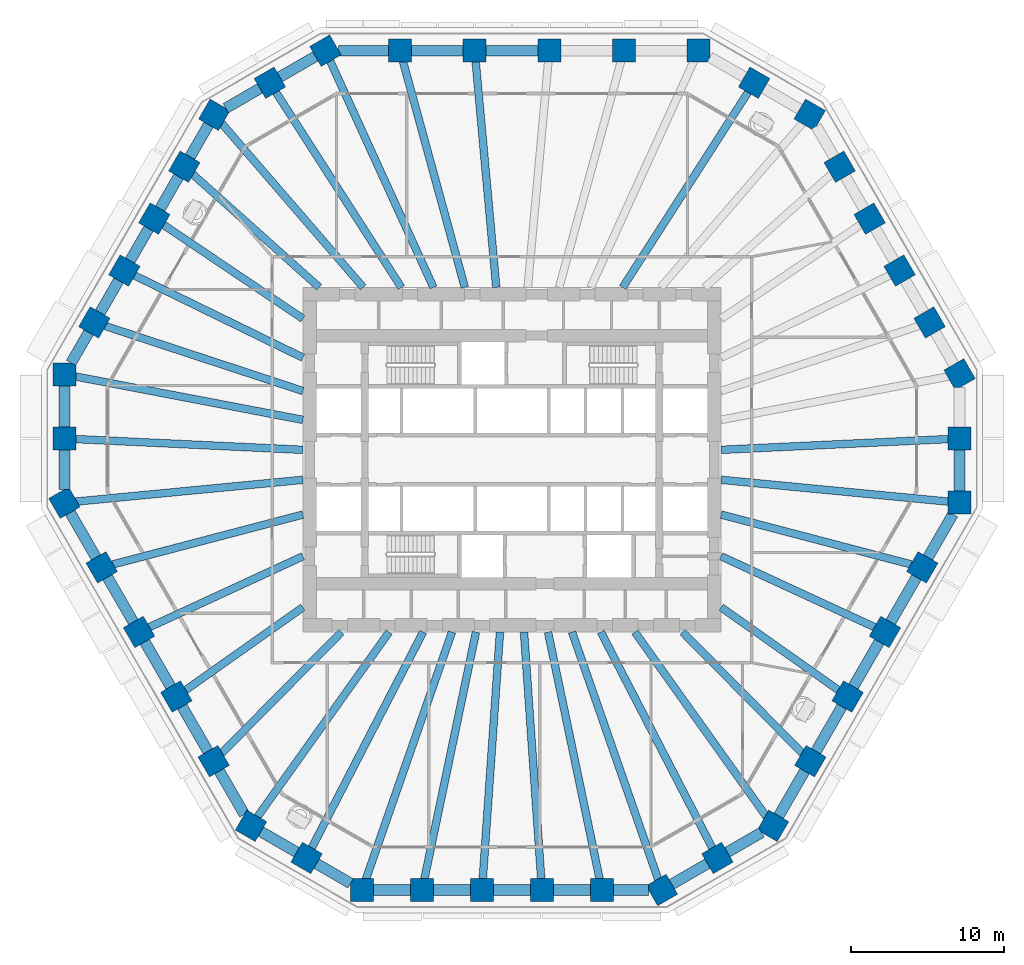
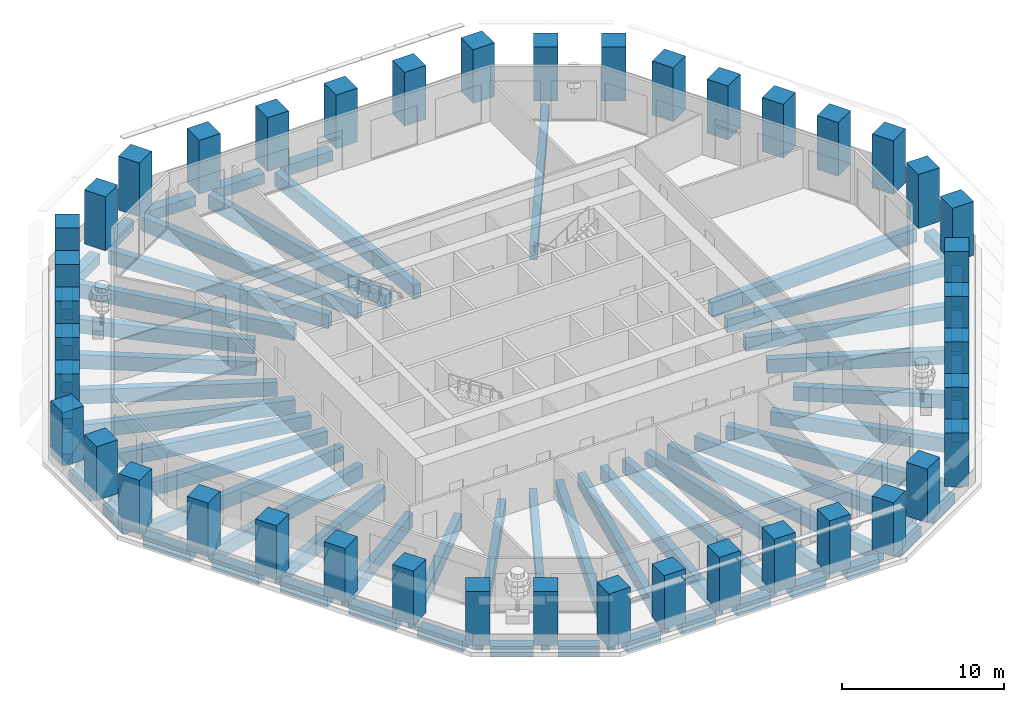
# One storey, part 1 of 12: 65 beams, 42 columns.
"""IFC4 building model written with IfcOpenShell, lengths in metres."""

from ifc_helpers import new_model, si_unit, direction, frame, origin, origin_2d, place, context, subcontext, project, spatial, rectangle, extrude, material, material_profile, profile_set, type_object, element, save


model = new_model("IFC4")

# Units and contexts
model_context = context("Model", 3, precision=1e-05, world=origin(), true_north=direction((0.0, 1.0)))
body_context = subcontext(model_context, "Body", "Model", "MODEL_VIEW")
ifc_project = project(units=[si_unit("LENGTHUNIT", "METRE"), si_unit("AREAUNIT", "SQUARE_METRE"), si_unit("VOLUMEUNIT", "CUBIC_METRE"), si_unit("PLANEANGLEUNIT", "RADIAN"), si_unit("MASSUNIT", "GRAM", prefix="KILO")], contexts=[model_context])

# Site, building, storey
site_placement = place(None, origin())
site = spatial("IfcSite", under=ifc_project, at=site_placement, CompositionType="ELEMENT")
building_placement = place(site_placement, origin())
building = spatial("IfcBuilding", under=site, at=building_placement, Name="Frailejon Research Tower", CompositionType="ELEMENT")
storey_placement = place(building_placement, frame((0.0, 0.0, 58.60009765625)))
storey = spatial("IfcBuildingStorey", under=building, at=storey_placement, Name="L13", CompositionType="ELEMENT", Elevation=58.60009765625)

# Columns
ifc_material_1 = material(Name="Concrete C70/85", Category="concrete")
ifc_material_profile_1 = material_profile(ifc_material_1, rectangle(XDim=1.5, YDim=1.5, at=origin_2d()), Name="Column 1500")
ifc_profile_set_1 = profile_set([ifc_material_profile_1], Name="Concrete C70/85")
column_type = type_object("IfcColumnType", Name="Column 1500", PredefinedType="COLUMN", material=ifc_profile_set_1)
for number, where, z_axis, x_axis, name in (
    (1, (29.211181640625, -2.8046875, 0.0), (0.0, 0.0, 1.0), (0.0, 1.0, 0.0), "Column C01"),
    (2, (29.211181640625, 1.3828125, 0.0), (0.0, 0.0, 1.0), (0.0, 1.0, 0.0), "Column C02"),
    (3, (29.211181640625, 5.5703125, 0.0), (0.0, 0.0, 1.0), (-0.5, 0.866025403784, 0.0), "Column C03"),
    (4, (27.2548828125, 8.958740234375, 0.0), (0.0, 0.0, 1.0), (-0.5, 0.866025403784, 0.0), "Column C04"),
    (5, (25.298583984375, 12.34716796875, 0.0), (0.0, 0.0, 1.0), (-0.5, 0.866025403784, 0.0), "Column C05"),
    (6, (23.34228515625, 15.735595703125, 0.0), (0.0, 0.0, 1.0), (-0.5, 0.866025403784, 0.0), "Column C06"),
    (7, (21.385986328125, 19.1240234375, 0.0), (0.0, 0.0, 1.0), (-0.5, 0.866025403784, 0.0), "Column C07"),
    (8, (19.4296875, 22.512451171875, 0.0), (0.0, 0.0, 1.0), (-0.866025403784, 0.5, 0.0), "Column C08"),
    (9, (15.802978515625, 24.606201171875, 0.0), (0.0, 0.0, 1.0), (-0.866025403784, 0.5, 0.0), "Column C09"),
    (10, (12.176513671875, 26.699951171875, 0.0), (0.0, 0.0, 1.0), (-1.0, 0.0, 0.0), "Column C10"),
    (11, (7.305908203125, 26.699951171875, 0.0), (0.0, 0.0, 1.0), (-1.0, 0.0, 0.0), "Column C11"),
    (12, (2.435302734375, 26.699951171875, 0.0), (0.0, 0.0, 1.0), (-1.0, 0.0, 0.0), "Column C12"),
    (13, (-2.435302734375, 26.699951171875, 0.0), (0.0, 0.0, 1.0), (-1.0, 0.0, 0.0), "Column C13"),
    (14, (-7.305908203125, 26.699951171875, 0.0), (0.0, 0.0, 1.0), (-1.0, 0.0, 0.0), "Column C14"),
    (15, (-12.176513671875, 26.699951171875, 0.0), (0.0, 0.0, 1.0), (-0.866025403784, -0.5, 0.0), "Column C15"),
    (16, (-15.802978515625, 24.606201171875, 0.0), (0.0, 0.0, 1.0), (-0.866025403784, -0.5, 0.0), "Column C16"),
    (17, (-19.4296875, 22.512451171875, 0.0), (0.0, 0.0, 1.0), (-0.5, -0.866025403784, 0.0), "Column C17"),
    (18, (-21.385986328125, 19.1240234375, 0.0), (0.0, 0.0, 1.0), (-0.5, -0.866025403784, 0.0), "Column C18"),
    (19, (-23.34228515625, 15.735595703125, 0.0), (0.0, 0.0, 1.0), (-0.5, -0.866025403784, 0.0), "Column C19"),
    (20, (-25.298583984375, 12.34716796875, 0.0), (0.0, 0.0, 1.0), (-0.5, -0.866025403784, 0.0), "Column C20"),
    (21, (-27.2548828125, 8.958740234375, 0.0), (0.0, 0.0, 1.0), (-0.5, -0.866025403784, 0.0), "Column C21"),
    (22, (-29.211181640625, 5.5703125, 0.0), (0.0, 0.0, 1.0), (0.0, -1.0, 0.0), "Column C22"),
    (23, (-29.211181640625, 1.3828125, 0.0), (0.0, 0.0, 1.0), (0.0, -1.0, 0.0), "Column C23"),
    (24, (-29.211181640625, -2.8046875, 0.0), (0.0, 0.0, 1.0), (0.5, -0.866025403784, 0.0), "Column C24"),
    (25, (-26.77587890625, -7.02294921875, 0.0), (0.0, 0.0, 1.0), (0.5, -0.866025403784, 0.0), "Column C25"),
    (26, (-24.340576171875, -11.240966796875, 0.0), (0.0, 0.0, 1.0), (0.5, -0.866025403784, 0.0), "Column C26"),
    (27, (-21.9052734375, -15.458984375, 0.0), (0.0, 0.0, 1.0), (0.5, -0.866025403784, 0.0), "Column C27"),
    (28, (-19.469970703125, -19.677001953125, 0.0), (0.0, 0.0, 1.0), (0.5, -0.866025403784, 0.0), "Column C28"),
    (29, (-17.03466796875, -23.895263671875, 0.0), (0.0, 0.0, 1.0), (0.866025403784, -0.5, 0.0), "Column C29"),
    (30, (-13.408203125, -25.989013671875, 0.0), (0.0, 0.0, 1.0), (0.866025403784, -0.5, 0.0), "Column C30"),
    (31, (-9.781494140625, -28.082763671875, 0.0), (0.0, 0.0, 1.0), (1.0, 0.0, 0.0), "Column C31"),
    (32, (-5.868896484375, -28.082763671875, 0.0), (0.0, 0.0, 1.0), (1.0, 0.0, 0.0), "Column C32"),
    (33, (-1.956298828125, -28.082763671875, 0.0), (0.0, 0.0, 1.0), (1.0, 0.0, 0.0), "Column C33"),
    (34, (1.956298828125, -28.082763671875, 0.0), (0.0, 0.0, 1.0), (1.0, 0.0, 0.0), "Column C34"),
    (35, (5.868896484375, -28.082763671875, 0.0), (0.0, 0.0, 1.0), (1.0, 0.0, 0.0), "Column C35"),
    (36, (9.781494140625, -28.082763671875, 0.0), (0.0, 0.0, 1.0), (0.866025403784, 0.5, 0.0), "Column C36"),
    (37, (13.408203125, -25.989013671875, 0.0), (0.0, 0.0, 1.0), (0.866025403784, 0.5, 0.0), "Column C37"),
    (38, (17.03466796875, -23.895263671875, 0.0), (0.0, 0.0, 1.0), (0.5, 0.866025403784, 0.0), "Column C38"),
    (39, (19.469970703125, -19.677001953125, 0.0), (0.0, 0.0, 1.0), (0.5, 0.866025403784, 0.0), "Column C39"),
    (40, (21.9052734375, -15.458984375, 0.0), (0.0, 0.0, 1.0), (0.5, 0.866025403784, 0.0), "Column C40"),
    (41, (24.340576171875, -11.240966796875, 0.0), (0.0, 0.0, 1.0), (0.5, 0.866025403784, 0.0), "Column C41"),
    (42, (26.77587890625, -7.02294921875, 0.0), (0.0, 0.0, 1.0), (0.5, 0.866025403784, 0.0), "Column C42"),
):
    element("IfcColumn", number, at=place(storey_placement, frame(where, z_axis=z_axis, x_axis=x_axis)), inside=storey, type_object=column_type, Name=name, PredefinedType="COLUMN", context=body_context, shape_type="SweptSolid", body=[
        extrude(rectangle(XDim=1.5, YDim=1.5, at=origin_2d()), origin(), (0.0, 0.0, 1.0), 4.0498046875),
    ])

# Beams
ifc_material_2 = material(Name="Concrete C60/75", Category="concrete")
ifc_material_profile_2 = material_profile(ifc_material_2, rectangle(XDim=0.5, YDim=1.050048828125, at=origin_2d()), Name="Girder 500x1050")
ifc_profile_set_2 = profile_set([ifc_material_profile_2], Name="Concrete C60/75")
beam_type_1 = type_object("IfcBeamType", Name="Girder 500x1050", PredefinedType="BEAM", material=ifc_profile_set_2)
beam_1_placement = place(storey_placement, frame((28.6103515625, -2.7470703125, -0.8251953125), z_axis=(-0.995421580291, 0.095581784302, 0.0), x_axis=(-0.095581784302, -0.995421580291, 0.0)))
element("IfcBeam", 43, at=beam_1_placement, inside=storey, type_object=beam_type_1, Name="Girder 500x1050", PredefinedType="BEAM", context=body_context, shape_type="SweptSolid", body=[
    extrude(rectangle(XDim=0.5, YDim=1.050048828125, at=origin_2d()), origin(), (0.0, 0.0, 1.0), 15.029296875),
])
beam_2_placement = place(storey_placement, frame((28.61083984375, 1.3544921875, -0.8251953125), z_axis=(-0.998881338401, -0.047287120801, 0.0), x_axis=(0.047287120801, -0.998881338401, 0.0)))
element("IfcBeam", 44, at=beam_2_placement, inside=storey, type_object=beam_type_1, Name="Girder 500x1050", PredefinedType="BEAM", context=body_context, shape_type="SweptSolid", body=[
    extrude(rectangle(XDim=0.5, YDim=1.050048828125, at=origin_2d()), origin(), (0.0, 0.0, 1.0), 14.977783203125),
])
beam_3_placement = place(storey_placement, frame((15.478515625, 24.1005859375, -0.8251953125), z_axis=(-0.540402055677, -0.841406927842, 0.0), x_axis=(0.841406927842, -0.540402055677, 0.0)))
element("IfcBeam", 45, at=beam_3_placement, inside=storey, type_object=beam_type_1, Name="Girder 500x1050", PredefinedType="BEAM", context=body_context, shape_type="SweptSolid", body=[
    extrude(rectangle(XDim=0.5, YDim=1.050048828125, at=origin_2d()), origin(), (0.0, 0.0, 1.0), 15.272705078125),
])
beam_4_placement = place(storey_placement, frame((-2.380615234375, 26.099365234375, -0.8251953125), z_axis=(0.090838377195, -0.995865648182, 0.0), x_axis=(0.995865648182, 0.090838377195, 0.0)))
element("IfcBeam", 46, at=beam_4_placement, inside=storey, type_object=beam_type_1, Name="Girder 500x1050", PredefinedType="BEAM", context=body_context, shape_type="SweptSolid", body=[
    extrude(rectangle(XDim=0.5, YDim=1.050048828125, at=origin_2d()), origin(), (0.0, 0.0, 1.0), 14.9111328125),
])
beam_5_placement = place(storey_placement, frame((-7.140380859375, 26.0947265625, -0.8251953125), z_axis=(0.263930724671, -0.964541638591, 0.0), x_axis=(0.964541638591, 0.263930724671, 0.0)))
element("IfcBeam", 47, at=beam_5_placement, inside=storey, type_object=beam_type_1, Name="Girder 500x1050", PredefinedType="BEAM", context=body_context, shape_type="SweptSolid", body=[
    extrude(rectangle(XDim=0.5, YDim=1.050048828125, at=origin_2d()), origin(), (0.0, 0.0, 1.0), 15.390380859375),
])
beam_6_placement = place(storey_placement, frame((-11.926025390625, 26.15087890625, -0.8251953125), z_axis=(0.414930273519, -0.909853212401, 0.0), x_axis=(0.909853212401, 0.414930273519, 0.0)))
element("IfcBeam", 48, at=beam_6_placement, inside=storey, type_object=beam_type_1, Name="Girder 500x1050", PredefinedType="BEAM", context=body_context, shape_type="SweptSolid", body=[
    extrude(rectangle(XDim=0.5, YDim=1.050048828125, at=origin_2d()), origin(), (0.0, 0.0, 1.0), 16.377197265625),
])
beam_7_placement = place(storey_placement, frame((-15.478515625, 24.1005859375, -0.8251953125), z_axis=(0.540402055677, -0.841406927842, 0.0), x_axis=(0.841406927842, 0.540402055677, 0.0)))
element("IfcBeam", 49, at=beam_7_placement, inside=storey, type_object=beam_type_1, Name="Girder 500x1050", PredefinedType="BEAM", context=body_context, shape_type="SweptSolid", body=[
    extrude(rectangle(XDim=0.5, YDim=1.050048828125, at=origin_2d()), origin(), (0.0, 0.0, 1.0), 15.272705078125),
])
beam_8_placement = place(storey_placement, frame((-19.0087890625, 22.024658203125, -0.8251953125), z_axis=(0.65337554657, -0.757033945833, 0.0), x_axis=(0.757033945833, 0.65337554657, 0.0)))
element("IfcBeam", 50, at=beam_8_placement, inside=storey, type_object=beam_type_1, Name="Girder 500x1050", PredefinedType="BEAM", context=body_context, shape_type="SweptSolid", body=[
    extrude(rectangle(XDim=0.5, YDim=1.050048828125, at=origin_2d()), origin(), (0.0, 0.0, 1.0), 14.232666015625),
])
beam_9_placement = place(storey_placement, frame((-20.926513671875, 18.713134765625, -0.8251953125), z_axis=(0.745431765293, -0.666581940419, 0.0), x_axis=(0.666581940419, 0.745431765293, 0.0)))
element("IfcBeam", 51, at=beam_9_placement, inside=storey, type_object=beam_type_1, Name="Girder 500x1050", PredefinedType="BEAM", context=body_context, shape_type="SweptSolid", body=[
    extrude(rectangle(XDim=0.5, YDim=1.050048828125, at=origin_2d()), origin(), (0.0, 0.0, 1.0), 11.196044921875),
])
beam_10_placement = place(storey_placement, frame((-22.84326171875, 15.399169921875, -0.8251953125), z_axis=(0.82919365434, -0.558961433019, 0.0), x_axis=(0.558961433019, 0.82919365434, 0.0)))
element("IfcBeam", 52, at=beam_10_placement, inside=storey, type_object=beam_type_1, Name="Girder 500x1050", PredefinedType="BEAM", context=body_context, shape_type="SweptSolid", body=[
    extrude(rectangle(XDim=0.5, YDim=1.050048828125, at=origin_2d()), origin(), (0.0, 0.0, 1.0), 11.087158203125),
])
beam_11_placement = place(storey_placement, frame((-24.7578125, 12.083251953125, -0.8251953125), z_axis=(0.898683953103, -0.43859679939, 0.0), x_axis=(0.43859679939, 0.898683953103, 0.0)))
element("IfcBeam", 53, at=beam_11_placement, inside=storey, type_object=beam_type_1, Name="Girder 500x1050", PredefinedType="BEAM", context=body_context, shape_type="SweptSolid", body=[
    extrude(rectangle(XDim=0.5, YDim=1.050048828125, at=origin_2d()), origin(), (0.0, 0.0, 1.0), 12.360107421875),
])
beam_12_placement = place(storey_placement, frame((-26.66943359375, 8.766357421875, -0.8251953125), z_axis=(0.949995064088, -0.312264916712, 0.0), x_axis=(0.312264916712, 0.949995064088, 0.0)))
element("IfcBeam", 54, at=beam_12_placement, inside=storey, type_object=beam_type_1, Name="Girder 500x1050", PredefinedType="BEAM", context=body_context, shape_type="SweptSolid", body=[
    extrude(rectangle(XDim=0.5, YDim=1.050048828125, at=origin_2d()), origin(), (0.0, 0.0, 1.0), 13.704833984375),
])
beam_13_placement = place(storey_placement, frame((-28.6083984375, 5.455322265625, -0.8251953125), z_axis=(0.982298691435, -0.187321330353, 0.0), x_axis=(0.187321330353, 0.982298691435, 0.0)))
element("IfcBeam", 55, at=beam_13_placement, inside=storey, type_object=beam_type_1, Name="Girder 500x1050", PredefinedType="BEAM", context=body_context, shape_type="SweptSolid", body=[
    extrude(rectangle(XDim=0.5, YDim=1.050048828125, at=origin_2d()), origin(), (0.0, 0.0, 1.0), 15.22802734375),
])
beam_14_placement = place(storey_placement, frame((-28.61083984375, 1.3544921875, -0.8251953125), z_axis=(0.998881338401, -0.047287120801, 0.0), x_axis=(0.047287120801, 0.998881338401, 0.0)))
element("IfcBeam", 56, at=beam_14_placement, inside=storey, type_object=beam_type_1, Name="Girder 500x1050", PredefinedType="BEAM", context=body_context, shape_type="SweptSolid", body=[
    extrude(rectangle(XDim=0.5, YDim=1.050048828125, at=origin_2d()), origin(), (0.0, 0.0, 1.0), 14.977783203125),
])
beam_15_placement = place(storey_placement, frame((-28.539794921875, -2.740478515625, -0.8251953125), z_axis=(0.995420415268, 0.09559391648, 0.0), x_axis=(-0.09559391648, 0.995420415268, 0.0)))
element("IfcBeam", 57, at=beam_15_placement, inside=storey, type_object=beam_type_1, Name="Girder 500x1050", PredefinedType="BEAM", context=body_context, shape_type="SweptSolid", body=[
    extrude(rectangle(XDim=0.5, YDim=1.050048828125, at=origin_2d()), origin(), (0.0, 0.0, 1.0), 14.95849609375),
])
beam_16_placement = place(storey_placement, frame((-26.168701171875, -6.86376953125, -0.8251953125), z_axis=(0.96727825833, 0.253717896416, 0.0), x_axis=(-0.253717896416, 0.96727825833, 0.0)))
element("IfcBeam", 58, at=beam_16_placement, inside=storey, type_object=beam_type_1, Name="Girder 500x1050", PredefinedType="BEAM", context=body_context, shape_type="SweptSolid", body=[
    extrude(rectangle(XDim=0.5, YDim=1.050048828125, at=origin_2d()), origin(), (0.0, 0.0, 1.0), 12.9423828125),
])
beam_17_placement = place(storey_placement, frame((-23.79296875, -10.988037109375, -0.8251953125), z_axis=(0.907868543598, 0.419254943375, 0.0), x_axis=(-0.419254943375, 0.907868543598, 0.0)))
element("IfcBeam", 59, at=beam_17_placement, inside=storey, type_object=beam_type_1, Name="Girder 500x1050", PredefinedType="BEAM", context=body_context, shape_type="SweptSolid", body=[
    extrude(rectangle(XDim=0.5, YDim=1.050048828125, at=origin_2d()), origin(), (0.0, 0.0, 1.0), 11.17236328125),
])
beam_18_placement = place(storey_placement, frame((-21.412353515625, -15.111083984375, -0.8251953125), z_axis=(0.817034800415, 0.576588358286, 0.0), x_axis=(-0.576588358286, 0.817034800415, 0.0)))
element("IfcBeam", 60, at=beam_18_placement, inside=storey, type_object=beam_type_1, Name="Girder 500x1050", PredefinedType="BEAM", context=body_context, shape_type="SweptSolid", body=[
    extrude(rectangle(XDim=0.5, YDim=1.050048828125, at=origin_2d()), origin(), (0.0, 0.0, 1.0), 9.500732421875),
])
beam_19_placement = place(storey_placement, frame((-19.028564453125, -19.23095703125, -0.8251953125), z_axis=(0.703356786979, 0.710836992714, 0.0), x_axis=(-0.710836992714, 0.703356786979, 0.0)))
element("IfcBeam", 61, at=beam_19_placement, inside=storey, type_object=beam_type_1, Name="Girder 500x1050", PredefinedType="BEAM", context=body_context, shape_type="SweptSolid", body=[
    extrude(rectangle(XDim=0.5, YDim=1.050048828125, at=origin_2d()), origin(), (0.0, 0.0, 1.0), 11.2275390625),
])
beam_20_placement = place(storey_placement, frame((-16.684326171875, -23.40380859375, -0.8251953125), z_axis=(0.580484429188, 0.814271347568, 0.0), x_axis=(-0.814271347568, 0.580484429188, 0.0)))
element("IfcBeam", 62, at=beam_20_placement, inside=storey, type_object=beam_type_1, Name="Girder 500x1050", PredefinedType="BEAM", context=body_context, shape_type="SweptSolid", body=[
    extrude(rectangle(XDim=0.5, YDim=1.050048828125, at=origin_2d()), origin(), (0.0, 0.0, 1.0), 14.926025390625),
])
beam_21_placement = place(storey_placement, frame((-13.132568359375, -25.455078125, -0.8251953125), z_axis=(0.458492734249, 0.888698156092, 0.0), x_axis=(-0.888698156092, 0.458492734249, 0.0)))
element("IfcBeam", 63, at=beam_21_placement, inside=storey, type_object=beam_type_1, Name="Girder 500x1050", PredefinedType="BEAM", context=body_context, shape_type="SweptSolid", body=[
    extrude(rectangle(XDim=0.5, YDim=1.050048828125, at=origin_2d()), origin(), (0.0, 0.0, 1.0), 15.984130859375),
])
beam_22_placement = place(storey_placement, frame((-9.569580078125, -27.474609375, -0.8251953125), z_axis=(0.328924592456, 0.94435618941, 0.0), x_axis=(-0.94435618941, 0.328924592456, 0.0)))
element("IfcBeam", 64, at=beam_22_placement, inside=storey, type_object=beam_type_1, Name="Girder 500x1050", PredefinedType="BEAM", context=body_context, shape_type="SweptSolid", body=[
    extrude(rectangle(XDim=0.5, YDim=1.050048828125, at=origin_2d()), origin(), (0.0, 0.0, 1.0), 17.1806640625),
])
beam_23_placement = place(storey_placement, frame((-5.742919921875, -27.4794921875, -0.8251953125), z_axis=(0.204572805504, 0.978851350946, 0.0), x_axis=(-0.978851350946, 0.204572805504, 0.0)))
element("IfcBeam", 65, at=beam_23_placement, inside=storey, type_object=beam_type_1, Name="Girder 500x1050", PredefinedType="BEAM", context=body_context, shape_type="SweptSolid", body=[
    extrude(rectangle(XDim=0.5, YDim=1.050048828125, at=origin_2d()), origin(), (0.0, 0.0, 1.0), 16.580078125),
])
for number, where, z_axis, x_axis, name in (
    (66, (-1.91455078125, -27.482421875, -0.8251953125), (0.069498257756, 0.997582072899, 0.0), (-0.997582072899, 0.069498257756, 0.0), "Girder 500x1050"),
    (67, (1.91455078125, -27.482421875, -0.8251953125), (-0.069498257756, 0.997582072899, 0.0), (-0.997582072899, -0.069498257756, 0.0), "Girder 500x1050"),
):
    element("IfcBeam", number, at=place(storey_placement, frame(where, z_axis=z_axis, x_axis=x_axis)), inside=storey, type_object=beam_type_1, Name=name, PredefinedType="BEAM", context=body_context, shape_type="SweptSolid", body=[
        extrude(rectangle(XDim=0.5, YDim=1.050048828125, at=origin_2d()), origin(), (0.0, 0.0, 1.0), 16.271728515625),
    ])
beam_24_placement = place(storey_placement, frame((5.742919921875, -27.4794921875, -0.8251953125), z_axis=(-0.204572805504, 0.978851350946, 0.0), x_axis=(-0.978851350946, -0.204572805504, 0.0)))
element("IfcBeam", 68, at=beam_24_placement, inside=storey, type_object=beam_type_1, Name="Girder 500x1050", PredefinedType="BEAM", context=body_context, shape_type="SweptSolid", body=[
    extrude(rectangle(XDim=0.5, YDim=1.050048828125, at=origin_2d()), origin(), (0.0, 0.0, 1.0), 16.580078125),
])
beam_25_placement = place(storey_placement, frame((9.57958984375, -27.50341796875, -0.8251953125), z_axis=(-0.328923326582, 0.94435663032, 0.0), x_axis=(-0.94435663032, -0.328923326582, 0.0)))
element("IfcBeam", 69, at=beam_25_placement, inside=storey, type_object=beam_type_1, Name="Girder 500x1050", PredefinedType="BEAM", context=body_context, shape_type="SweptSolid", body=[
    extrude(rectangle(XDim=0.5, YDim=1.050048828125, at=origin_2d()), origin(), (0.0, 0.0, 1.0), 17.211181640625),
])
beam_26_placement = place(storey_placement, frame((13.132568359375, -25.455078125, -0.8251953125), z_axis=(-0.458492734249, 0.888698156092, 0.0), x_axis=(-0.888698156092, -0.458492734249, 0.0)))
element("IfcBeam", 70, at=beam_26_placement, inside=storey, type_object=beam_type_1, Name="Girder 500x1050", PredefinedType="BEAM", context=body_context, shape_type="SweptSolid", body=[
    extrude(rectangle(XDim=0.5, YDim=1.050048828125, at=origin_2d()), origin(), (0.0, 0.0, 1.0), 15.984130859375),
])
beam_27_placement = place(storey_placement, frame((16.643310546875, -23.34619140625, -0.8251953125), z_axis=(-0.580487061992, 0.814269470667, 0.0), x_axis=(-0.814269470667, -0.580487061992, 0.0)))
element("IfcBeam", 71, at=beam_27_placement, inside=storey, type_object=beam_type_1, Name="Girder 500x1050", PredefinedType="BEAM", context=body_context, shape_type="SweptSolid", body=[
    extrude(rectangle(XDim=0.5, YDim=1.050048828125, at=origin_2d()), origin(), (0.0, 0.0, 1.0), 14.855224609375),
])
beam_28_placement = place(storey_placement, frame((19.028564453125, -19.23095703125, -0.8251953125), z_axis=(-0.703356786979, 0.710836992714, 0.0), x_axis=(-0.710836992714, -0.703356786979, 0.0)))
element("IfcBeam", 72, at=beam_28_placement, inside=storey, type_object=beam_type_1, Name="Girder 500x1050", PredefinedType="BEAM", context=body_context, shape_type="SweptSolid", body=[
    extrude(rectangle(XDim=0.5, YDim=1.050048828125, at=origin_2d()), origin(), (0.0, 0.0, 1.0), 11.2275390625),
])
beam_29_placement = place(storey_placement, frame((21.412353515625, -15.111083984375, -0.8251953125), z_axis=(-0.817034800415, 0.576588358286, 0.0), x_axis=(-0.576588358286, -0.817034800415, 0.0)))
element("IfcBeam", 73, at=beam_29_placement, inside=storey, type_object=beam_type_1, Name="Girder 500x1050", PredefinedType="BEAM", context=body_context, shape_type="SweptSolid", body=[
    extrude(rectangle(XDim=0.5, YDim=1.050048828125, at=origin_2d()), origin(), (0.0, 0.0, 1.0), 9.500732421875),
])
beam_30_placement = place(storey_placement, frame((23.79296875, -10.988037109375, -0.8251953125), z_axis=(-0.907868543598, 0.419254943375, 0.0), x_axis=(-0.419254943375, -0.907868543598, 0.0)))
element("IfcBeam", 74, at=beam_30_placement, inside=storey, type_object=beam_type_1, Name="Girder 500x1050", PredefinedType="BEAM", context=body_context, shape_type="SweptSolid", body=[
    extrude(rectangle(XDim=0.5, YDim=1.050048828125, at=origin_2d()), origin(), (0.0, 0.0, 1.0), 11.17236328125),
])
beam_31_placement = place(storey_placement, frame((26.168701171875, -6.86376953125, -0.8251953125), z_axis=(-0.96727825833, 0.253717896416, 0.0), x_axis=(-0.253717896416, -0.96727825833, 0.0)))
element("IfcBeam", 75, at=beam_31_placement, inside=storey, type_object=beam_type_1, Name="Girder 500x1050", PredefinedType="BEAM", context=body_context, shape_type="SweptSolid", body=[
    extrude(rectangle(XDim=0.5, YDim=1.050048828125, at=origin_2d()), origin(), (0.0, 0.0, 1.0), 12.9423828125),
])
ifc_material_3 = material(Name="Concrete C60/75", Category="concrete")
ifc_material_profile_3 = material_profile(ifc_material_3, rectangle(XDim=0.699951171875, YDim=0.800048828125, at=origin_2d()), Name="Spandrel 700x800")
ifc_profile_set_3 = profile_set([ifc_material_profile_3], Name="Concrete C60/75")
beam_type_2 = type_object("IfcBeamType", Name="Spandrel 700x800", PredefinedType="BEAM", material=ifc_profile_set_3)
beam_32_placement = place(storey_placement, frame((29.211181640625, -2.0546875, -0.75), z_axis=(0.0, 1.0, 0.0), x_axis=(-1.0, 0.0, 0.0)))
element("IfcBeam", 76, at=beam_32_placement, inside=storey, type_object=beam_type_2, Name="Spandrel 700x800", PredefinedType="BEAM", context=body_context, shape_type="SweptSolid", body=[
    extrude(rectangle(XDim=0.699951171875, YDim=0.800048828125, at=origin_2d()), origin(), (0.0, 0.0, 1.0), 2.6875),
])
for number, where, z_axis, x_axis, name in (
    (77, (1.685302734375, 26.699951171875, -0.75), (-1.0, 0.0, 0.0), (0.0, -1.0, 0.0), "Spandrel 700x800"),
    (78, (-3.185302734375, 26.699951171875, -0.75), (-1.0, 0.0, 0.0), (0.0, -1.0, 0.0), "Spandrel 700x800"),
):
    element("IfcBeam", number, at=place(storey_placement, frame(where, z_axis=z_axis, x_axis=x_axis)), inside=storey, type_object=beam_type_2, Name=name, PredefinedType="BEAM", context=body_context, shape_type="SweptSolid", body=[
        extrude(rectangle(XDim=0.699951171875, YDim=0.800048828125, at=origin_2d()), origin(), (0.0, 0.0, 1.0), 3.37060546875),
    ])
beam_33_placement = place(storey_placement, frame((-8.055908203125, 26.699951171875, -0.75), z_axis=(-1.0, 0.0, 0.0), x_axis=(0.0, -1.0, 0.0)))
element("IfcBeam", 79, at=beam_33_placement, inside=storey, type_object=beam_type_2, Name="Spandrel 700x800", PredefinedType="BEAM", context=body_context, shape_type="SweptSolid", body=[
    extrude(rectangle(XDim=0.699951171875, YDim=0.800048828125, at=origin_2d()), origin(), (0.0, 0.0, 1.0), 3.254638671875),
])
beam_34_placement = place(storey_placement, frame((-12.825927734375, 26.324951171875, -0.75), z_axis=(-0.866043397086, -0.499968833392, 0.0), x_axis=(0.499968833392, -0.866043397086, 0.0)))
element("IfcBeam", 80, at=beam_34_placement, inside=storey, type_object=beam_type_2, Name="Spandrel 700x800", PredefinedType="BEAM", context=body_context, shape_type="SweptSolid", body=[
    extrude(rectangle(XDim=0.699951171875, YDim=0.800048828125, at=origin_2d()), origin(), (0.0, 0.0, 1.0), 2.687744140625),
])
beam_35_placement = place(storey_placement, frame((-16.45263671875, 24.231201171875, -0.75), z_axis=(-0.866008514048, -0.50002925274, 0.0), x_axis=(0.50002925274, -0.866008514048, 0.0)))
element("IfcBeam", 81, at=beam_35_placement, inside=storey, type_object=beam_type_2, Name="Spandrel 700x800", PredefinedType="BEAM", context=body_context, shape_type="SweptSolid", body=[
    extrude(rectangle(XDim=0.699951171875, YDim=0.800048828125, at=origin_2d()), origin(), (0.0, 0.0, 1.0), 2.571533203125),
])
beam_36_placement = place(storey_placement, frame((-19.8046875, 21.86279296875, -0.75), z_axis=(-0.500002762329, -0.866023808947, 0.0), x_axis=(0.866023808947, -0.500002762329, 0.0)))
element("IfcBeam", 82, at=beam_36_placement, inside=storey, type_object=beam_type_2, Name="Spandrel 700x800", PredefinedType="BEAM", context=body_context, shape_type="SweptSolid", body=[
    extrude(rectangle(XDim=0.699951171875, YDim=0.800048828125, at=origin_2d()), origin(), (0.0, 0.0, 1.0), 2.41259765625),
])
for number, where, z_axis, x_axis, name in (
    (83, (-21.760986328125, 18.474609375, -0.75), (-0.499958946799, -0.866049104564, 0.0), (0.866049104564, -0.499958946799, 0.0), "Spandrel 700x800"),
    (84, (-23.71728515625, 15.086181640625, -0.75), (-0.499958946799, -0.866049104564, 0.0), (0.866049104564, -0.499958946799, 0.0), "Spandrel 700x800"),
    (85, (-25.673583984375, 11.69775390625, -0.75), (-0.499958946799, -0.866049104564, 0.0), (0.866049104564, -0.499958946799, 0.0), "Spandrel 700x800"),
):
    element("IfcBeam", number, at=place(storey_placement, frame(where, z_axis=z_axis, x_axis=x_axis)), inside=storey, type_object=beam_type_2, Name=name, PredefinedType="BEAM", context=body_context, shape_type="SweptSolid", body=[
        extrude(rectangle(XDim=0.699951171875, YDim=0.800048828125, at=origin_2d()), origin(), (0.0, 0.0, 1.0), 2.412841796875),
    ])
beam_37_placement = place(storey_placement, frame((-27.6298828125, 8.30908203125, -0.75), z_axis=(-0.499992401796, -0.866029790565, 0.0), x_axis=(0.866029790565, -0.499992401796, 0.0)))
element("IfcBeam", 86, at=beam_37_placement, inside=storey, type_object=beam_type_2, Name="Spandrel 700x800", PredefinedType="BEAM", context=body_context, shape_type="SweptSolid", body=[
    extrude(rectangle(XDim=0.699951171875, YDim=0.800048828125, at=origin_2d()), origin(), (0.0, 0.0, 1.0), 2.29638671875),
])
beam_38_placement = place(storey_placement, frame((-29.211181640625, 4.8203125, -0.75), z_axis=(0.0, -1.0, 0.0), x_axis=(1.0, 0.0, 0.0)))
element("IfcBeam", 87, at=beam_38_placement, inside=storey, type_object=beam_type_2, Name="Spandrel 700x800", PredefinedType="BEAM", context=body_context, shape_type="SweptSolid", body=[
    extrude(rectangle(XDim=0.699951171875, YDim=0.800048828125, at=origin_2d()), origin(), (0.0, 0.0, 1.0), 2.6875),
])
beam_39_placement = place(storey_placement, frame((-29.211181640625, 0.6328125, -0.75), z_axis=(0.0, -1.0, 0.0), x_axis=(1.0, 0.0, 0.0)))
element("IfcBeam", 88, at=beam_39_placement, inside=storey, type_object=beam_type_2, Name="Spandrel 700x800", PredefinedType="BEAM", context=body_context, shape_type="SweptSolid", body=[
    extrude(rectangle(XDim=0.699951171875, YDim=0.800048828125, at=origin_2d()), origin(), (0.0, 0.0, 1.0), 2.571533203125),
])
beam_40_placement = place(storey_placement, frame((-28.836181640625, -3.454345703125, -0.75), z_axis=(0.500010874902, -0.866019125066, 0.0), x_axis=(0.866019125066, 0.500010874902, 0.0)))
element("IfcBeam", 89, at=beam_40_placement, inside=storey, type_object=beam_type_2, Name="Spandrel 700x800", PredefinedType="BEAM", context=body_context, shape_type="SweptSolid", body=[
    extrude(rectangle(XDim=0.699951171875, YDim=0.800048828125, at=origin_2d()), origin(), (0.0, 0.0, 1.0), 3.37060546875),
])
for number, where, z_axis, x_axis, name in (
    (90, (-26.40087890625, -7.67236328125, -0.75), (0.499979511309, -0.866037232612, 0.0), (0.866037232612, 0.499979511309, 0.0), "Spandrel 700x800"),
    (91, (-23.965576171875, -11.890380859375, -0.75), (0.499979511309, -0.866037232612, 0.0), (0.866037232612, 0.499979511309, 0.0), "Spandrel 700x800"),
    (92, (-21.5302734375, -16.1083984375, -0.75), (0.499979511309, -0.866037232612, 0.0), (0.866037232612, 0.499979511309, 0.0), "Spandrel 700x800"),
):
    element("IfcBeam", number, at=place(storey_placement, frame(where, z_axis=z_axis, x_axis=x_axis)), inside=storey, type_object=beam_type_2, Name=name, PredefinedType="BEAM", context=body_context, shape_type="SweptSolid", body=[
        extrude(rectangle(XDim=0.699951171875, YDim=0.800048828125, at=origin_2d()), origin(), (0.0, 0.0, 1.0), 3.370849609375),
    ])
beam_41_placement = place(storey_placement, frame((-19.094970703125, -20.32666015625, -0.75), z_axis=(0.500027630784, -0.866009450556, 0.0), x_axis=(0.866009450556, 0.500027630784, 0.0)))
element("IfcBeam", 93, at=beam_41_placement, inside=storey, type_object=beam_type_2, Name="Spandrel 700x800", PredefinedType="BEAM", context=body_context, shape_type="SweptSolid", body=[
    extrude(rectangle(XDim=0.699951171875, YDim=0.800048828125, at=origin_2d()), origin(), (0.0, 0.0, 1.0), 3.254638671875),
])
beam_42_placement = place(storey_placement, frame((-16.385009765625, -24.270263671875, -0.75), z_axis=(0.866020687897, -0.500008168067, 0.0), x_axis=(0.500008168067, 0.866020687897, 0.0)))
element("IfcBeam", 94, at=beam_42_placement, inside=storey, type_object=beam_type_2, Name="Spandrel 700x800", PredefinedType="BEAM", context=body_context, shape_type="SweptSolid", body=[
    extrude(rectangle(XDim=0.699951171875, YDim=0.800048828125, at=origin_2d()), origin(), (0.0, 0.0, 1.0), 2.6875),
])
beam_43_placement = place(storey_placement, frame((-12.758544921875, -26.364013671875, -0.75), z_axis=(0.866008514048, -0.50002925274, 0.0), x_axis=(0.50002925274, 0.866008514048, 0.0)))
element("IfcBeam", 95, at=beam_43_placement, inside=storey, type_object=beam_type_2, Name="Spandrel 700x800", PredefinedType="BEAM", context=body_context, shape_type="SweptSolid", body=[
    extrude(rectangle(XDim=0.699951171875, YDim=0.800048828125, at=origin_2d()), origin(), (0.0, 0.0, 1.0), 2.571533203125),
])
for number, where, z_axis, x_axis, name in (
    (96, (-9.031494140625, -28.082763671875, -0.75), (1.0, 0.0, 0.0), (0.0, 1.0, 0.0), "Spandrel 700x800"),
    (97, (-5.118896484375, -28.082763671875, -0.75), (1.0, 0.0, 0.0), (0.0, 1.0, 0.0), "Spandrel 700x800"),
    (98, (-1.206298828125, -28.082763671875, -0.75), (1.0, 0.0, 0.0), (0.0, 1.0, 0.0), "Spandrel 700x800"),
    (99, (2.706298828125, -28.082763671875, -0.75), (1.0, 0.0, 0.0), (0.0, 1.0, 0.0), "Spandrel 700x800"),
):
    element("IfcBeam", number, at=place(storey_placement, frame(where, z_axis=z_axis, x_axis=x_axis)), inside=storey, type_object=beam_type_2, Name=name, PredefinedType="BEAM", context=body_context, shape_type="SweptSolid", body=[
        extrude(rectangle(XDim=0.699951171875, YDim=0.800048828125, at=origin_2d()), origin(), (0.0, 0.0, 1.0), 2.41259765625),
    ])
beam_44_placement = place(storey_placement, frame((6.618896484375, -28.082763671875, -0.75), z_axis=(1.0, 0.0, 0.0), x_axis=(0.0, 1.0, 0.0)))
element("IfcBeam", 100, at=beam_44_placement, inside=storey, type_object=beam_type_2, Name="Spandrel 700x800", PredefinedType="BEAM", context=body_context, shape_type="SweptSolid", body=[
    extrude(rectangle(XDim=0.699951171875, YDim=0.800048828125, at=origin_2d()), origin(), (0.0, 0.0, 1.0), 2.296630859375),
])
beam_45_placement = place(storey_placement, frame((10.430908203125, -27.707763671875, -0.75), z_axis=(0.866043397086, 0.499968833392, 0.0), x_axis=(-0.499968833392, 0.866043397086, 0.0)))
element("IfcBeam", 101, at=beam_45_placement, inside=storey, type_object=beam_type_2, Name="Spandrel 700x800", PredefinedType="BEAM", context=body_context, shape_type="SweptSolid", body=[
    extrude(rectangle(XDim=0.699951171875, YDim=0.800048828125, at=origin_2d()), origin(), (0.0, 0.0, 1.0), 2.687744140625),
])
beam_46_placement = place(storey_placement, frame((14.0576171875, -25.614013671875, -0.75), z_axis=(0.866008514048, 0.50002925274, 0.0), x_axis=(-0.50002925274, 0.866008514048, 0.0)))
element("IfcBeam", 102, at=beam_46_placement, inside=storey, type_object=beam_type_2, Name="Spandrel 700x800", PredefinedType="BEAM", context=body_context, shape_type="SweptSolid", body=[
    extrude(rectangle(XDim=0.699951171875, YDim=0.800048828125, at=origin_2d()), origin(), (0.0, 0.0, 1.0), 2.571533203125),
])
beam_47_placement = place(storey_placement, frame((17.40966796875, -23.24560546875, -0.75), z_axis=(0.500010874902, 0.866019125066, 0.0), x_axis=(-0.866019125066, 0.500010874902, 0.0)))
element("IfcBeam", 103, at=beam_47_placement, inside=storey, type_object=beam_type_2, Name="Spandrel 700x800", PredefinedType="BEAM", context=body_context, shape_type="SweptSolid", body=[
    extrude(rectangle(XDim=0.699951171875, YDim=0.800048828125, at=origin_2d()), origin(), (0.0, 0.0, 1.0), 3.37060546875),
])
for number, where, z_axis, x_axis, name in (
    (104, (19.844970703125, -19.027587890625, -0.75), (0.499979511309, 0.866037232612, 0.0), (-0.866037232612, 0.499979511309, 0.0), "Spandrel 700x800"),
    (105, (22.2802734375, -14.8095703125, -0.75), (0.499979511309, 0.866037232612, 0.0), (-0.866037232612, 0.499979511309, 0.0), "Spandrel 700x800"),
    (106, (24.715576171875, -10.591552734375, -0.75), (0.499979511309, 0.866037232612, 0.0), (-0.866037232612, 0.499979511309, 0.0), "Spandrel 700x800"),
):
    element("IfcBeam", number, at=place(storey_placement, frame(where, z_axis=z_axis, x_axis=x_axis)), inside=storey, type_object=beam_type_2, Name=name, PredefinedType="BEAM", context=body_context, shape_type="SweptSolid", body=[
        extrude(rectangle(XDim=0.699951171875, YDim=0.800048828125, at=origin_2d()), origin(), (0.0, 0.0, 1.0), 3.370849609375),
    ])
beam_48_placement = place(storey_placement, frame((27.15087890625, -6.373291015625, -0.75), z_axis=(0.499971370958, 0.866041932139, 0.0), x_axis=(-0.866041932139, 0.499971370958, 0.0)))
element("IfcBeam", 107, at=beam_48_placement, inside=storey, type_object=beam_type_2, Name="Spandrel 700x800", PredefinedType="BEAM", context=body_context, shape_type="SweptSolid", body=[
    extrude(rectangle(XDim=0.699951171875, YDim=0.800048828125, at=origin_2d()), origin(), (0.0, 0.0, 1.0), 3.254638671875),
])

save(model, "model.ifc")
